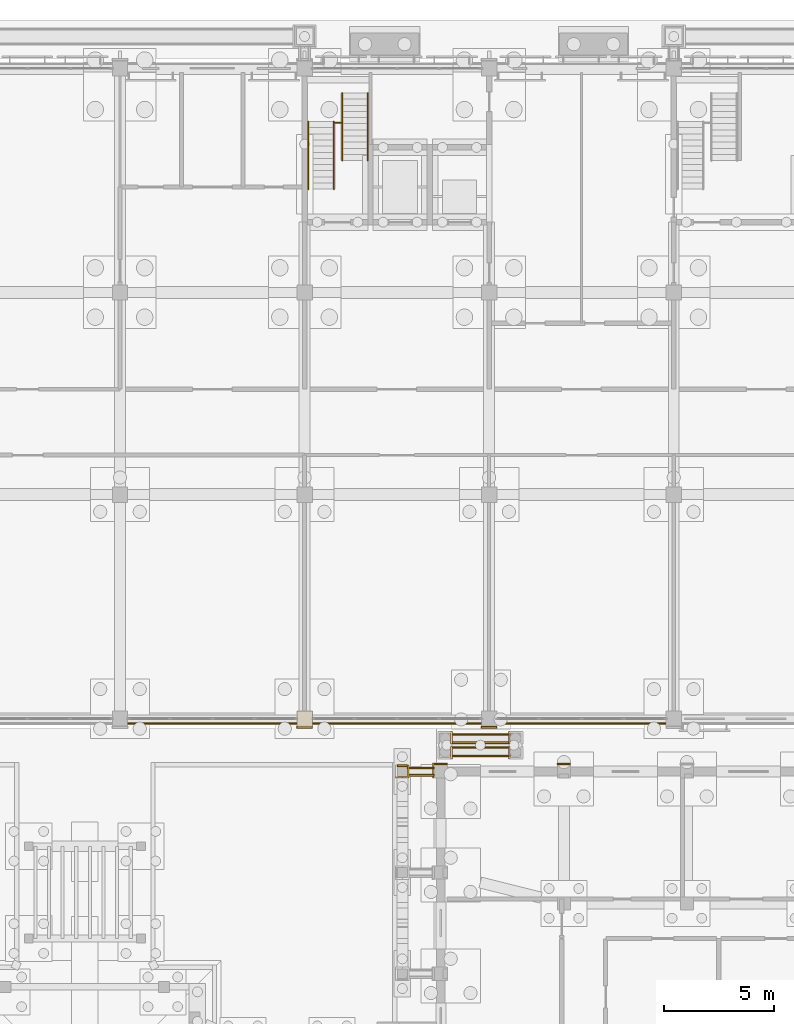
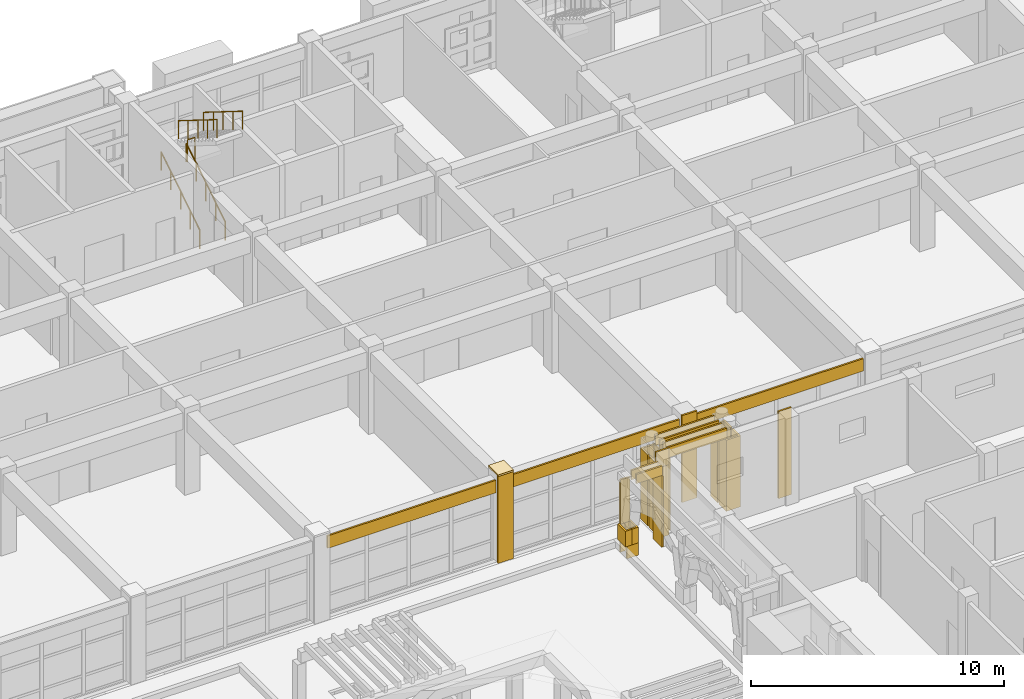
# One storey, part 103 of 112: 23 coverings, 5 railings.
"""IFC4 building model written with IfcOpenShell, lengths in metres."""

from ifc_helpers import new_model, si_unit, direction, frame, origin, origin_2d, place, context, subcontext, project, spatial, polyline, circle, outline, extrude, material, layer, layer_set, type_object, element, save


model = new_model("IFC4")

# Units and contexts
model_context = context("Model", 3, precision=1e-05, world=origin(), true_north=direction((0.0, 1.0)))
body_context = subcontext(model_context, "Body", "Model", "MODEL_VIEW")
ifc_project = project(units=[si_unit("LENGTHUNIT", "METRE"), si_unit("AREAUNIT", "SQUARE_METRE"), si_unit("VOLUMEUNIT", "CUBIC_METRE"), si_unit("PLANEANGLEUNIT", "RADIAN"), si_unit("MASSUNIT", "GRAM", prefix="KILO")], contexts=[model_context])

# Site, building, storey
site_placement = place(None, origin())
site = spatial("IfcSite", under=ifc_project, at=site_placement, CompositionType="ELEMENT")
building_placement = place(site_placement, origin())
building = spatial("IfcBuilding", under=site, at=building_placement, Name="Wasatch Bagh Community Centre", CompositionType="ELEMENT")
storey_placement = place(building_placement, origin())
storey = spatial("IfcBuildingStorey", under=building, at=storey_placement, Name="L00", CompositionType="ELEMENT", Elevation=0.0)

# Coverings
ifc_material_1 = material(Name="Cast stone cladding", Category="masonry")
ifc_layer_1 = layer(ifc_material_1, 0.080078125)
ifc_layer_set_1 = layer_set([ifc_layer_1], Name="Cast stone cladding")
covering_type_1 = type_object("IfcCoveringType", Name="CL-B7 beam facing", PredefinedType="CLADDING", material=ifc_layer_set_1)
covering_1_placement = place(storey_placement, frame((0.0, 0.0, 3.320068359375)))
element("IfcCovering", 1, at=covering_1_placement, inside=storey, type_object=covering_type_1, Name="Beam facing", PredefinedType="CLADDING", context=body_context, shape_type="SweptSolid", body=[
    extrude(outline(polyline([(97.949951171875, 68.02490234375), (105.64990234375, 68.02490234375), (105.64990234375, 67.945068359375), (97.949951171875, 67.945068359375), (97.949951171875, 68.02490234375)])), origin(), (0.0, 0.0, 1.0), 0.599853515625),
])
covering_2_placement = place(storey_placement, frame((0.0, 0.0, 3.320068359375)))
element("IfcCovering", 2, at=covering_2_placement, inside=storey, type_object=covering_type_1, Name="Beam facing", PredefinedType="CLADDING", context=body_context, shape_type="SweptSolid", body=[
    extrude(outline(polyline([(106.35009765625, 68.02490234375), (114.050048828125, 68.02490234375), (114.050048828125, 67.945068359375), (106.35009765625, 67.945068359375), (106.35009765625, 68.02490234375)])), origin(), (0.0, 0.0, 1.0), 0.599853515625),
])
covering_3_placement = place(storey_placement, frame((0.0, 0.0, 3.320068359375)))
element("IfcCovering", 3, at=covering_3_placement, inside=storey, type_object=covering_type_1, Name="Beam facing", PredefinedType="CLADDING", context=body_context, shape_type="SweptSolid", body=[
    extrude(outline(polyline([(114.75, 68.02490234375), (122.449951171875, 68.02490234375), (122.449951171875, 67.945068359375), (114.75, 67.945068359375), (114.75, 68.02490234375)])), origin(), (0.0, 0.0, 1.0), 0.599853515625),
])
covering_4_placement = place(storey_placement, frame((0.0, 0.0, 3.39990234375)))
element("IfcCovering", 4, at=covering_4_placement, inside=storey, type_object=covering_type_1, Name="Beam facing", PredefinedType="CLADDING", context=body_context, shape_type="SweptSolid", body=[
    extrude(outline(polyline([(111.89990234375, 65.675048828125), (110.7099609375, 65.675048828125), (110.7099609375, 65.594970703125), (111.89990234375, 65.594970703125), (111.89990234375, 65.675048828125)])), origin(), (0.0, 0.0, 1.0), 0.4501953125),
])
covering_5_placement = place(storey_placement, frame((0.0, 0.0, 3.39990234375)))
element("IfcCovering", 5, at=covering_5_placement, inside=storey, type_object=covering_type_1, Name="Beam facing", PredefinedType="CLADDING", context=body_context, shape_type="SweptSolid", body=[
    extrude(outline(polyline([(111.89990234375, 65.925048828125), (110.675048828125, 65.925048828125), (110.675048828125, 66.0048828125), (111.89990234375, 66.0048828125), (111.89990234375, 65.925048828125)])), origin(), (0.0, 0.0, 1.0), 0.4501953125),
])
covering_6_placement = place(storey_placement, frame((0.0, 0.0, 3.43994140625)))
element("IfcCovering", 6, at=covering_6_placement, inside=storey, type_object=covering_type_1, Name="Beam facing", PredefinedType="CLADDING", context=body_context, shape_type="SweptSolid", body=[
    extrude(outline(polyline([(112.64990234375, 66.85009765625), (115.35009765625, 66.85009765625), (115.35009765625, 66.929931640625), (112.64990234375, 66.929931640625), (112.64990234375, 66.85009765625)])), origin(), (0.0, 0.0, 1.0), 0.5),
])
covering_7_placement = place(storey_placement, frame((0.0, 0.0, 3.43994140625)))
element("IfcCovering", 7, at=covering_7_placement, inside=storey, type_object=covering_type_1, Name="Beam facing", PredefinedType="CLADDING", context=body_context, shape_type="SweptSolid", body=[
    extrude(outline(polyline([(112.64990234375, 66.550048828125), (115.35009765625, 66.550048828125), (115.35009765625, 66.469970703125), (112.64990234375, 66.469970703125), (112.64990234375, 66.550048828125)])), origin(), (0.0, 0.0, 1.0), 0.5),
])
covering_8_placement = place(storey_placement, frame((0.0, 0.0, 3.43994140625)))
element("IfcCovering", 8, at=covering_8_placement, inside=storey, type_object=covering_type_1, Name="Beam facing", PredefinedType="CLADDING", context=body_context, shape_type="SweptSolid", body=[
    extrude(outline(polyline([(112.64990234375, 67.449951171875), (115.35009765625, 67.449951171875), (115.35009765625, 67.530029296875), (112.64990234375, 67.530029296875), (112.64990234375, 67.449951171875)])), origin(), (0.0, 0.0, 1.0), 0.5),
])
covering_9_placement = place(storey_placement, frame((0.0, 0.0, 3.43994140625)))
element("IfcCovering", 9, at=covering_9_placement, inside=storey, type_object=covering_type_1, Name="Beam facing", PredefinedType="CLADDING", context=body_context, shape_type="SweptSolid", body=[
    extrude(outline(polyline([(112.64990234375, 67.14990234375), (115.35009765625, 67.14990234375), (115.35009765625, 67.070068359375), (112.64990234375, 67.070068359375), (112.64990234375, 67.14990234375)])), origin(), (0.0, 0.0, 1.0), 0.5),
])
ifc_layer_2 = layer(ifc_material_1, 0.080078125)
ifc_layer_set_2 = layer_set([ifc_layer_2], Name="Cast stone cladding")
covering_type_2 = type_object("IfcCoveringType", Name="CL-C1 column facing", PredefinedType="CLADDING", material=ifc_layer_set_2)
covering_10_placement = place(storey_placement, origin())
element("IfcCovering", 10, at=covering_10_placement, inside=storey, type_object=covering_type_2, Name="Column facing", PredefinedType="CLADDING", context=body_context, shape_type="SweptSolid", body=[
    extrude(outline(polyline([(110.7548828125, 65.4951171875), (110.22509765625, 65.4951171875), (110.22509765625, 65.574951171875), (110.675048828125, 65.574951171875), (110.675048828125, 66.02490234375), (110.22509765625, 66.02490234375), (110.22509765625, 66.10498046875), (110.7548828125, 66.10498046875), (110.7548828125, 65.4951171875)])), origin(), (0.0, 0.0, 1.0), 0.60009765625),
])
covering_11_placement = place(storey_placement, frame((0.0, 0.0, 0.60009765625)))
element("IfcCovering", 11, at=covering_11_placement, inside=storey, type_object=covering_type_2, Name="Column facing", PredefinedType="CLADDING", context=body_context, shape_type="SweptSolid", body=[
    extrude(outline(polyline([(110.449951171875, 66.10498046875), (110.449951171875, 66.02490234375), (110.22509765625, 66.02490234375), (110.22509765625, 65.574951171875), (110.449951171875, 65.574951171875), (110.449951171875, 65.4951171875), (110.14501953125, 65.4951171875), (110.14501953125, 66.10498046875), (110.449951171875, 66.10498046875)])), origin(), (0.0, 0.0, 1.0), 0.755126953125),
])
covering_12_placement = place(storey_placement, frame((0.0, 0.0, 0.60009765625)))
element("IfcCovering", 12, at=covering_12_placement, inside=storey, type_object=covering_type_2, Name="Column facing", PredefinedType="CLADDING", context=body_context, shape_type="SweptSolid", body=[
    extrude(outline(polyline([(110.7548828125, 66.10498046875), (110.7548828125, 65.4951171875), (110.449951171875, 65.4951171875), (110.449951171875, 65.574951171875), (110.675048828125, 65.574951171875), (110.675048828125, 66.02490234375), (110.449951171875, 66.02490234375), (110.449951171875, 66.10498046875), (110.7548828125, 66.10498046875)])), origin(), (0.0, 0.0, 1.0), 0.755126953125),
])
covering_13_placement = place(storey_placement, frame((0.0, 0.0, 1.355224609375)))
element("IfcCovering", 13, at=covering_13_placement, inside=storey, type_object=covering_type_2, Name="Column facing", PredefinedType="CLADDING", context=body_context, shape_type="SweptSolid", body=[
    extrude(outline(polyline([(110.675048828125, 66.02490234375), (110.22509765625, 66.02490234375), (110.22509765625, 66.10498046875), (110.675048828125, 66.10498046875), (110.675048828125, 66.02490234375)])), origin(), (0.0, 0.0, 1.0), 2.13818359375),
])
covering_14_placement = place(storey_placement, origin())
element("IfcCovering", 14, at=covering_14_placement, inside=storey, type_object=covering_type_2, Name="Column facing", PredefinedType="CLADDING", context=body_context, shape_type="SweptSolid", body=[
    extrude(outline(polyline([(105.64990234375, 67.85009765625), (106.35009765625, 67.85009765625), (106.35009765625, 67.77001953125), (105.64990234375, 67.77001953125), (105.64990234375, 67.85009765625)])), origin(), (0.0, 0.0, 1.0), 4.199951171875),
])
covering_15_placement = place(storey_placement, frame((0.0, 0.0, 4.199951171875)))
element("IfcCovering", 15, at=covering_15_placement, inside=storey, type_object=covering_type_2, Name="Column facing", PredefinedType="CLADDING", context=body_context, shape_type="SweptSolid", body=[
    extrude(outline(polyline([(106.35009765625, 67.77001953125), (105.64990234375, 67.77001953125), (105.64990234375, 68.550048828125), (106.35009765625, 68.550048828125), (106.35009765625, 67.77001953125)])), origin(), (0.0, 0.0, 1.0), 0.080078125),
])
covering_16_placement = place(storey_placement, origin())
element("IfcCovering", 16, at=covering_16_placement, inside=storey, type_object=covering_type_2, Name="Column facing", PredefinedType="CLADDING", context=body_context, shape_type="SweptSolid", body=[
    extrude(outline(polyline([(114.050048828125, 67.85009765625), (114.75, 67.85009765625), (114.75, 67.77001953125), (114.050048828125, 67.77001953125), (114.050048828125, 67.85009765625)])), origin(), (0.0, 0.0, 1.0), 4.199951171875),
])
covering_17_placement = place(storey_placement, origin())
element("IfcCovering", 17, at=covering_17_placement, inside=storey, type_object=covering_type_2, Name="Column facing", PredefinedType="CLADDING", context=body_context, shape_type="SweptSolid", body=[
    extrude(outline(polyline([(112.070068359375, 66.3701171875), (112.070068359375, 66.949951171875), (112.14990234375, 66.949951171875), (112.14990234375, 66.449951171875), (112.64990234375, 66.449951171875), (112.64990234375, 66.949951171875), (112.72998046875, 66.949951171875), (112.72998046875, 66.3701171875), (112.070068359375, 66.3701171875)])), origin(), (0.0, 0.0, 1.0), 3.43994140625),
])
covering_18_placement = place(storey_placement, origin())
element("IfcCovering", 18, at=covering_18_placement, inside=storey, type_object=covering_type_2, Name="Column facing", PredefinedType="CLADDING", context=body_context, shape_type="SweptSolid", body=[
    extrude(outline(polyline([(115.27001953125, 66.3701171875), (115.27001953125, 66.949951171875), (115.35009765625, 66.949951171875), (115.35009765625, 66.449951171875), (115.85009765625, 66.449951171875), (115.85009765625, 66.949951171875), (115.929931640625, 66.949951171875), (115.929931640625, 66.3701171875), (115.27001953125, 66.3701171875)])), origin(), (0.0, 0.0, 1.0), 3.43994140625),
])
covering_19_placement = place(storey_placement, origin())
element("IfcCovering", 19, at=covering_19_placement, inside=storey, type_object=covering_type_2, Name="Column facing", PredefinedType="CLADDING", context=body_context, shape_type="SweptSolid", body=[
    extrude(outline(polyline([(112.070068359375, 67.050048828125), (112.070068359375, 67.6298828125), (112.72998046875, 67.6298828125), (112.72998046875, 67.050048828125), (112.64990234375, 67.050048828125), (112.64990234375, 67.550048828125), (112.14990234375, 67.550048828125), (112.14990234375, 67.050048828125), (112.070068359375, 67.050048828125)])), origin(), (0.0, 0.0, 1.0), 3.43994140625),
])
covering_20_placement = place(storey_placement, origin())
element("IfcCovering", 20, at=covering_20_placement, inside=storey, type_object=covering_type_2, Name="Column facing", PredefinedType="CLADDING", context=body_context, shape_type="SweptSolid", body=[
    extrude(outline(polyline([(115.27001953125, 67.050048828125), (115.27001953125, 67.6298828125), (115.929931640625, 67.6298828125), (115.929931640625, 67.050048828125), (115.85009765625, 67.050048828125), (115.85009765625, 67.550048828125), (115.35009765625, 67.550048828125), (115.35009765625, 67.050048828125), (115.27001953125, 67.050048828125)])), origin(), (0.0, 0.0, 1.0), 3.43994140625),
])
covering_21_placement = place(storey_placement, origin())
element("IfcCovering", 21, at=covering_21_placement, inside=storey, type_object=covering_type_2, Name="Column facing", PredefinedType="CLADDING", context=body_context, shape_type="SweptSolid", body=[
    extrude(outline(polyline([(111.89990234375, 65.5), (111.820068359375, 65.5), (111.820068359375, 66.179931640625), (112.5, 66.179931640625), (112.5, 66.10009765625), (111.89990234375, 66.10009765625), (111.89990234375, 65.5)])), origin(), (0.0, 0.0, 1.0), 3.39990234375),
])
covering_22_placement = place(storey_placement, frame((0.0, 0.0, 3.39990234375)))
element("IfcCovering", 22, at=covering_22_placement, inside=storey, type_object=covering_type_2, Name="Column facing", PredefinedType="CLADDING", context=body_context, shape_type="SweptSolid", body=[
    extrude(outline(polyline([(112.5, 66.10009765625), (111.89990234375, 66.10009765625), (111.89990234375, 66.179931640625), (112.5, 66.179931640625), (112.5, 66.10009765625)])), origin(), (0.0, 0.0, 1.0), 0.800048828125),
])
covering_23_placement = place(storey_placement, origin())
element("IfcCovering", 23, at=covering_23_placement, inside=storey, type_object=covering_type_2, Name="Column facing", PredefinedType="CLADDING", context=body_context, shape_type="SweptSolid", body=[
    extrude(outline(polyline([(118.10009765625, 66.10009765625), (117.5, 66.10009765625), (117.5, 66.179931640625), (118.10009765625, 66.179931640625), (118.10009765625, 66.10009765625)])), origin(), (0.0, 0.0, 1.0), 4.199951171875),
])

# Railings
ifc_material_2 = material(Name="Painted steel with jali infill", Category="steel")
railing_type_1 = type_object("IfcRailingType", Name="LW guard 1100", PredefinedType="GUARDRAIL", material=ifc_material_2)
railing_placement = place(storey_placement, frame((107.360107421875, 95.330078125, 2.10009765625)))
element("IfcRailing", 24, at=railing_placement, inside=storey, type_object=railing_type_1, Name="Guard C2", PredefinedType="GUARDRAIL", context=body_context, shape_type="SweptSolid", body=[
    extrude(circle(Radius=0.02490234375, at=origin_2d()), frame((0.0, 0.0, 1.0751953125), z_axis=(1.0, 0.0, 0.0), x_axis=(0.0, 1.0, 0.0)), (0.0, 0.0, 1.0), 0.329833984375),
    extrude(circle(Radius=0.02001953125, at=origin_2d()), origin(), (0.0, 0.0, 1.0), 1.050048828125),
    extrude(circle(Radius=0.02001953125, at=origin_2d()), frame((0.329833984375, 0.0, 0.0)), (0.0, 0.0, 1.0), 1.050048828125),
])
ifc_material_3 = material(Name="Painted steel tube", Category="steel")
railing_type_2 = type_object("IfcRailingType", Name="LW stair handrail 900", PredefinedType="HANDRAIL", material=ifc_material_3)
for number, where, name in (
    (25, (106.175048828125, 92.300048828125, 0.175048828125), "Handrail C2"),
    (26, (107.3349609375, 92.300048828125, 0.175048828125), "Handrail C2"),
):
    element("IfcRailing", number, at=place(storey_placement, frame(where)), inside=storey, type_object=railing_type_2, Name=name, PredefinedType="HANDRAIL", context=body_context, shape_type="SweptSolid", body=[
        extrude(circle(Radius=0.0224609375, at=origin_2d()), frame((0.0, 0.0, 0.87744140625), z_axis=(0.0, 0.847979421464, 0.530029150871), x_axis=(-1.0, 0.0, 0.0)), (0.0, 0.0, 1.0), 3.632080078125),
        extrude(circle(Radius=0.02001953125, at=origin_2d()), origin(), (0.0, 0.0, 1.0), 0.85498046875),
        extrude(circle(Radius=0.02001953125, at=origin_2d()), frame((0.0, 0.77001953125, 0.481201171875)), (0.0, 0.0, 1.0), 0.85498046875),
        extrude(circle(Radius=0.02001953125, at=origin_2d()), frame((0.0, 1.5400390625, 0.96240234375)), (0.0, 0.0, 1.0), 0.85498046875),
        extrude(circle(Radius=0.02001953125, at=origin_2d()), frame((0.0, 2.309814453125, 1.44384765625)), (0.0, 0.0, 1.0), 0.85498046875),
        extrude(circle(Radius=0.02001953125, at=origin_2d()), frame((0.0, 3.079833984375, 1.925048828125)), (0.0, 0.0, 1.0), 0.85498046875),
    ])
for number, where, name in (
    (27, (107.715087890625, 96.679931640625, 2.27490234375), "Handrail C2"),
    (28, (108.875, 96.679931640625, 2.27490234375), "Handrail C2"),
):
    element("IfcRailing", number, at=place(storey_placement, frame(where)), inside=storey, type_object=railing_type_2, Name=name, PredefinedType="HANDRAIL", context=body_context, shape_type="SweptSolid", body=[
        extrude(circle(Radius=0.0224609375, at=origin_2d()), frame((0.0, 0.0, 0.87744140625), z_axis=(0.0, -0.847979421464, 0.530029150871), x_axis=(1.0, 0.0, 0.0)), (0.0, 0.0, 1.0), 3.632080078125),
        extrude(circle(Radius=0.02001953125, at=origin_2d()), origin(), (0.0, 0.0, 1.0), 0.85498046875),
        extrude(circle(Radius=0.02001953125, at=origin_2d()), frame((0.0, -0.77001953125, 0.481201171875)), (0.0, 0.0, 1.0), 0.85498046875),
        extrude(circle(Radius=0.02001953125, at=origin_2d()), frame((0.0, -1.5400390625, 0.96240234375)), (0.0, 0.0, 1.0), 0.85498046875),
        extrude(circle(Radius=0.02001953125, at=origin_2d()), frame((0.0, -2.309814453125, 1.44384765625)), (0.0, 0.0, 1.0), 0.85498046875),
        extrude(circle(Radius=0.02001953125, at=origin_2d()), frame((0.0, -3.079833984375, 1.925048828125)), (0.0, 0.0, 1.0), 0.85498046875),
    ])

save(model, "model.ifc")
